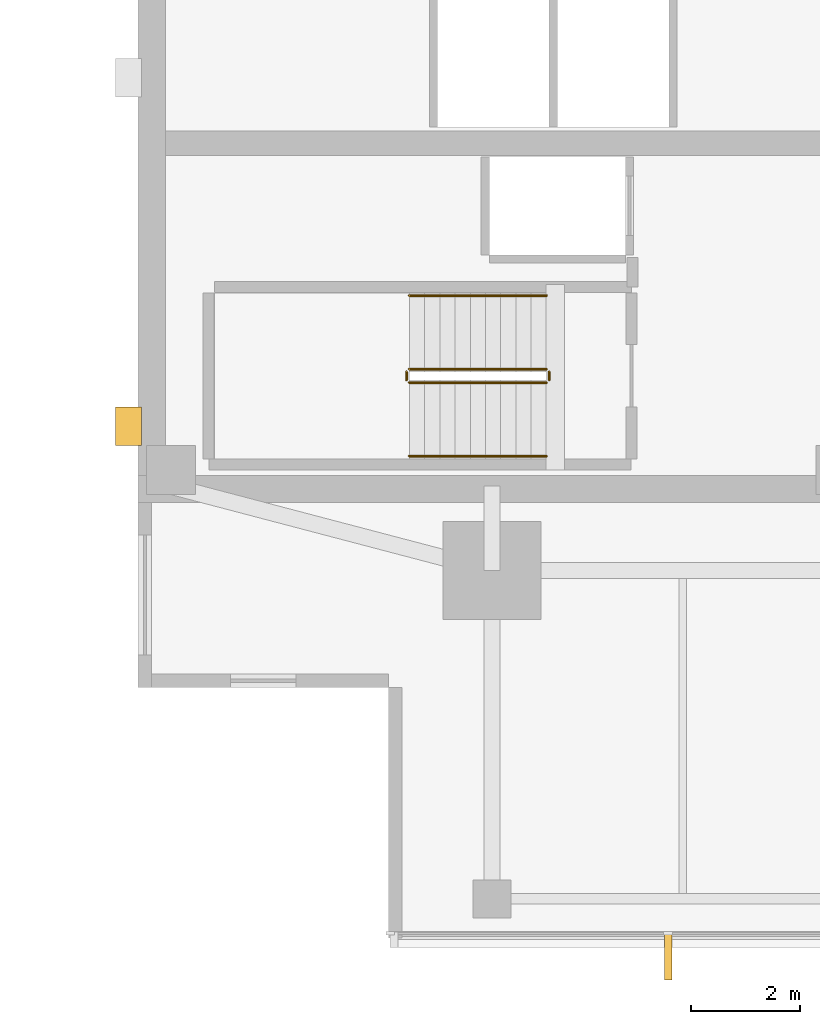
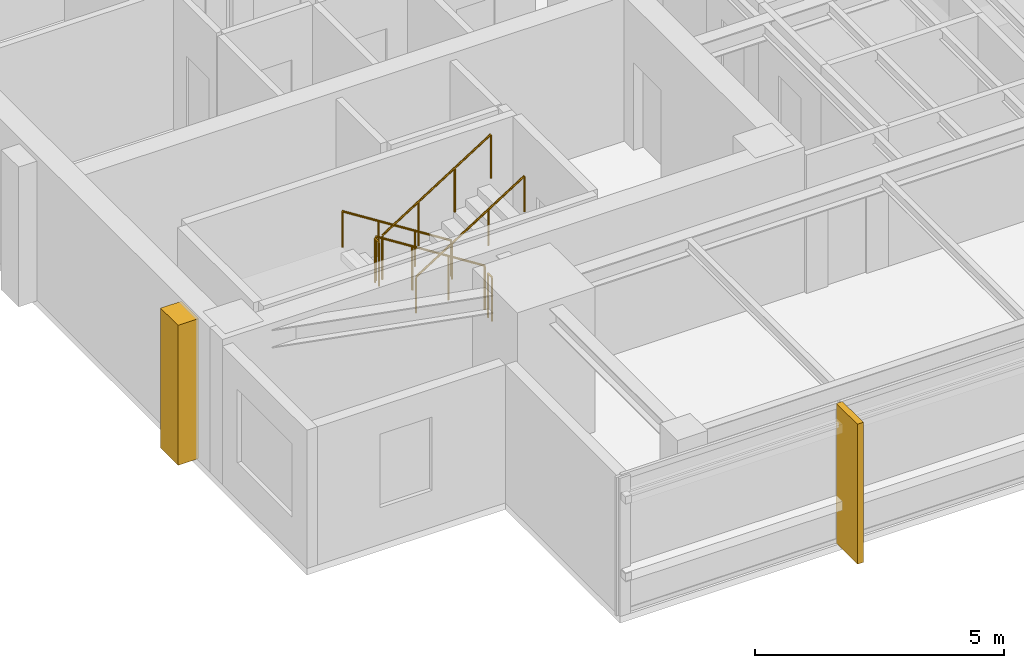
# One storey, part 11 of 14: 6 railings, 2 coverings.
"""IFC4 building model written with IfcOpenShell, lengths in metres."""

from ifc_helpers import new_model, si_unit, direction, frame, origin, origin_2d, place, context, subcontext, project, spatial, polyline, circle, outline, extrude, material, layer, layer_set, type_object, element, save


model = new_model("IFC4")

# Units and contexts
model_context = context("Model", 3, precision=1e-05, world=origin(), true_north=direction((0.0, 1.0)))
body_context = subcontext(model_context, "Body", "Model", "MODEL_VIEW")
ifc_project = project(units=[si_unit("LENGTHUNIT", "METRE"), si_unit("AREAUNIT", "SQUARE_METRE"), si_unit("VOLUMEUNIT", "CUBIC_METRE"), si_unit("PLANEANGLEUNIT", "RADIAN"), si_unit("MASSUNIT", "GRAM", prefix="KILO")], contexts=[model_context])

# Site, building, storey
site_placement = place(None, origin())
site = spatial("IfcSite", under=ifc_project, at=site_placement, CompositionType="ELEMENT")
building_placement = place(site_placement, origin())
building = spatial("IfcBuilding", under=site, at=building_placement, Name="Kinhvarn Gate Tower", CompositionType="ELEMENT")
storey_placement = place(building_placement, frame((0.0, 0.0, 284.75)))
storey = spatial("IfcBuildingStorey", under=building, at=storey_placement, Name="L76", CompositionType="ELEMENT", Elevation=284.75)

# Coverings
ifc_material_1 = material(Name="Fired architectural terracotta", Category="masonry")
ifc_layer_1 = layer(ifc_material_1, 0.139892578125)
ifc_layer_set_1 = layer_set([ifc_layer_1], Name="Fired architectural terracotta")
covering_type_1 = type_object("IfcCoveringType", Name="COV-FIN-850", PredefinedType="CLADDING", material=ifc_layer_set_1)
covering_1_placement = place(storey_placement, frame((0.0, 0.0, -0.02001953125)))
element("IfcCovering", 1, at=covering_1_placement, inside=storey, type_object=covering_type_1, Name="Vertical Terracotta Expressive Fin TFN-850 (L76)", PredefinedType="CLADDING", context=body_context, shape_type="SweptSolid", body=[
    extrude(outline(polyline([(14.163330078125, 6.080078125), (14.30322265625, 6.080078125), (14.30322265625, 5.22998046875), (14.163330078125, 5.22998046875), (14.163330078125, 6.080078125)])), origin(), (0.0, 0.0, 1.0), 3.429931640625),
])
ifc_material_2 = material(Name="Precast white architectural concrete C40/50", Category="concrete")
ifc_layer_2 = layer(ifc_material_2, 0.47998046875)
ifc_layer_set_2 = layer_set([ifc_layer_2], Name="Precast white architectural concrete C40/50")
covering_type_2 = type_object("IfcCoveringType", Name="COV-RIB-450", PredefinedType="CLADDING", material=ifc_layer_set_2)
covering_2_placement = place(storey_placement, frame((0.0, 0.0, -0.02001953125)))
element("IfcCovering", 2, at=covering_2_placement, inside=storey, type_object=covering_type_2, Name="West Core Sculptural Concrete Relief Rib CRB-450 (L76)", PredefinedType="CLADDING", context=body_context, shape_type="SweptSolid", body=[
    extrude(outline(polyline([(4.080078125, 15.050048828125), (4.56005859375, 15.050048828125), (4.56005859375, 15.75), (4.080078125, 15.75), (4.080078125, 15.050048828125)])), origin(), (0.0, 0.0, 1.0), 3.429931640625),
])

# Railings
ifc_material_3 = material(Name="Steel S355", Category="steel")
railing_type_1 = type_object("IfcRailingType", Name="RL-ST-GRD", PredefinedType="BALUSTRADE", material=ifc_material_3)
railing_1_placement = place(storey_placement, frame((12.0, 16.449951171875, 0.177490234375)))
element("IfcRailing", 3, at=railing_1_placement, inside=storey, type_object=railing_type_1, Name="L76 ST1 stair guard 1", PredefinedType="BALUSTRADE", context=body_context, shape_type="SweptSolid", body=[
    extrude(circle(Radius=0.02392578125, at=origin_2d()), frame((0.0, 0.0, 1.076171875), z_axis=(-0.84460694969, 0.0, 0.535386869969), x_axis=(0.0, -1.0, 0.0)), (0.0, 0.0, 1.0), 2.983642578125),
    extrude(circle(Radius=0.02099609375, at=origin_2d()), origin(), (0.0, 0.0, 1.0), 1.052001953125),
    extrude(circle(Radius=0.02099609375, at=origin_2d()), frame((-0.840087890625, 0.0, 0.532470703125)), (0.0, 0.0, 1.0), 1.052001953125),
    extrude(circle(Radius=0.02099609375, at=origin_2d()), frame((-1.679931640625, 0.0, 1.06494140625)), (0.0, 0.0, 1.0), 1.052001953125),
    extrude(circle(Radius=0.02099609375, at=origin_2d()), frame((-2.52001953125, 0.0, 1.597412109375)), (0.0, 0.0, 1.0), 1.052001953125),
])
railing_2_placement = place(storey_placement, frame((9.429931640625, 16.39990234375, 1.77490234375)))
element("IfcRailing", 4, at=railing_2_placement, inside=storey, type_object=railing_type_1, Name="L76 ST1 stair guard 2", PredefinedType="BALUSTRADE", context=body_context, shape_type="SweptSolid", body=[
    extrude(circle(Radius=0.02392578125, at=origin_2d()), frame((0.0, 0.0, 1.076171875), z_axis=(0.0, -1.0, 0.0), x_axis=(1.0, 0.0, 0.0)), (0.0, 0.0, 1.0), 0.14990234375),
    extrude(circle(Radius=0.02099609375, at=origin_2d()), origin(), (0.0, 0.0, 1.0), 1.052001953125),
    extrude(circle(Radius=0.02099609375, at=origin_2d()), frame((0.0, -0.14990234375, 0.0)), (0.0, 0.0, 1.0), 1.052001953125),
])
railing_3_placement = place(storey_placement, frame((9.47998046875, 16.199951171875, 1.952392578125)))
element("IfcRailing", 5, at=railing_3_placement, inside=storey, type_object=railing_type_1, Name="L76 ST1 stair guard 3", PredefinedType="BALUSTRADE", context=body_context, shape_type="SweptSolid", body=[
    extrude(circle(Radius=0.02392578125, at=origin_2d()), frame((0.0, 0.0, 1.076171875), z_axis=(0.84456994832, 0.0, 0.535445237532), x_axis=(0.0, 1.0, 0.0)), (0.0, 0.0, 1.0), 2.98388671875),
    extrude(circle(Radius=0.02099609375, at=origin_2d()), origin(), (0.0, 0.0, 1.0), 1.052001953125),
    extrude(circle(Radius=0.02099609375, at=origin_2d()), frame((0.840087890625, 0.0, 0.532470703125)), (0.0, 0.0, 1.0), 1.052001953125),
    extrude(circle(Radius=0.02099609375, at=origin_2d()), frame((1.679931640625, 0.0, 1.065185546875)), (0.0, 0.0, 1.0), 1.052001953125),
    extrude(circle(Radius=0.02099609375, at=origin_2d()), frame((2.52001953125, 0.0, 1.59765625)), (0.0, 0.0, 1.0), 1.052001953125),
])
railing_4_placement = place(storey_placement, frame((12.050048828125, 16.39990234375, 0.0)))
element("IfcRailing", 6, at=railing_4_placement, inside=storey, type_object=railing_type_1, Name="L76 ST1 stair guard 4", PredefinedType="BALUSTRADE", context=body_context, shape_type="SweptSolid", body=[
    extrude(circle(Radius=0.02392578125, at=origin_2d()), frame((0.0, 0.0, 1.076171875), z_axis=(0.0, -1.0, 0.0), x_axis=(1.0, 0.0, 0.0)), (0.0, 0.0, 1.0), 0.14990234375),
    extrude(circle(Radius=0.02099609375, at=origin_2d()), origin(), (0.0, 0.0, 1.0), 1.052001953125),
    extrude(circle(Radius=0.02099609375, at=origin_2d()), frame((0.0, -0.14990234375, 0.0)), (0.0, 0.0, 1.0), 1.052001953125),
])
railing_type_2 = type_object("IfcRailingType", Name="RL-ST-HND", PredefinedType="HANDRAIL", material=ifc_material_3)
railing_5_placement = place(storey_placement, frame((12.0, 17.800048828125, 0.177490234375)))
element("IfcRailing", 7, at=railing_5_placement, inside=storey, type_object=railing_type_2, Name="L76 ST1 stair handrail 1", PredefinedType="HANDRAIL", context=body_context, shape_type="SweptSolid", body=[
    extrude(circle(Radius=0.02392578125, at=origin_2d()), frame((0.0, 0.0, 0.8759765625), z_axis=(-0.84460694969, 0.0, 0.535386869969), x_axis=(0.0, -1.0, 0.0)), (0.0, 0.0, 1.0), 2.983642578125),
    extrude(circle(Radius=0.02099609375, at=origin_2d()), origin(), (0.0, 0.0, 1.0), 0.851806640625),
    extrude(circle(Radius=0.02099609375, at=origin_2d()), frame((-0.840087890625, 0.0, 0.532470703125)), (0.0, 0.0, 1.0), 0.851806640625),
    extrude(circle(Radius=0.02099609375, at=origin_2d()), frame((-1.679931640625, 0.0, 1.06494140625)), (0.0, 0.0, 1.0), 0.851806640625),
    extrude(circle(Radius=0.02099609375, at=origin_2d()), frame((-2.52001953125, 0.0, 1.597412109375)), (0.0, 0.0, 1.0), 0.851806640625),
])
railing_6_placement = place(storey_placement, frame((9.47998046875, 14.85009765625, 1.952392578125)))
element("IfcRailing", 8, at=railing_6_placement, inside=storey, type_object=railing_type_2, Name="L76 ST1 stair handrail 2", PredefinedType="HANDRAIL", context=body_context, shape_type="SweptSolid", body=[
    extrude(circle(Radius=0.02392578125, at=origin_2d()), frame((0.0, 0.0, 0.8759765625), z_axis=(0.84456994832, 0.0, 0.535445237532), x_axis=(0.0, 1.0, 0.0)), (0.0, 0.0, 1.0), 2.98388671875),
    extrude(circle(Radius=0.02099609375, at=origin_2d()), origin(), (0.0, 0.0, 1.0), 0.851806640625),
    extrude(circle(Radius=0.02099609375, at=origin_2d()), frame((0.840087890625, 0.0, 0.532470703125)), (0.0, 0.0, 1.0), 0.851806640625),
    extrude(circle(Radius=0.02099609375, at=origin_2d()), frame((1.679931640625, 0.0, 1.065185546875)), (0.0, 0.0, 1.0), 0.851806640625),
    extrude(circle(Radius=0.02099609375, at=origin_2d()), frame((2.52001953125, 0.0, 1.59765625)), (0.0, 0.0, 1.0), 0.851806640625),
])

save(model, "model.ifc")
